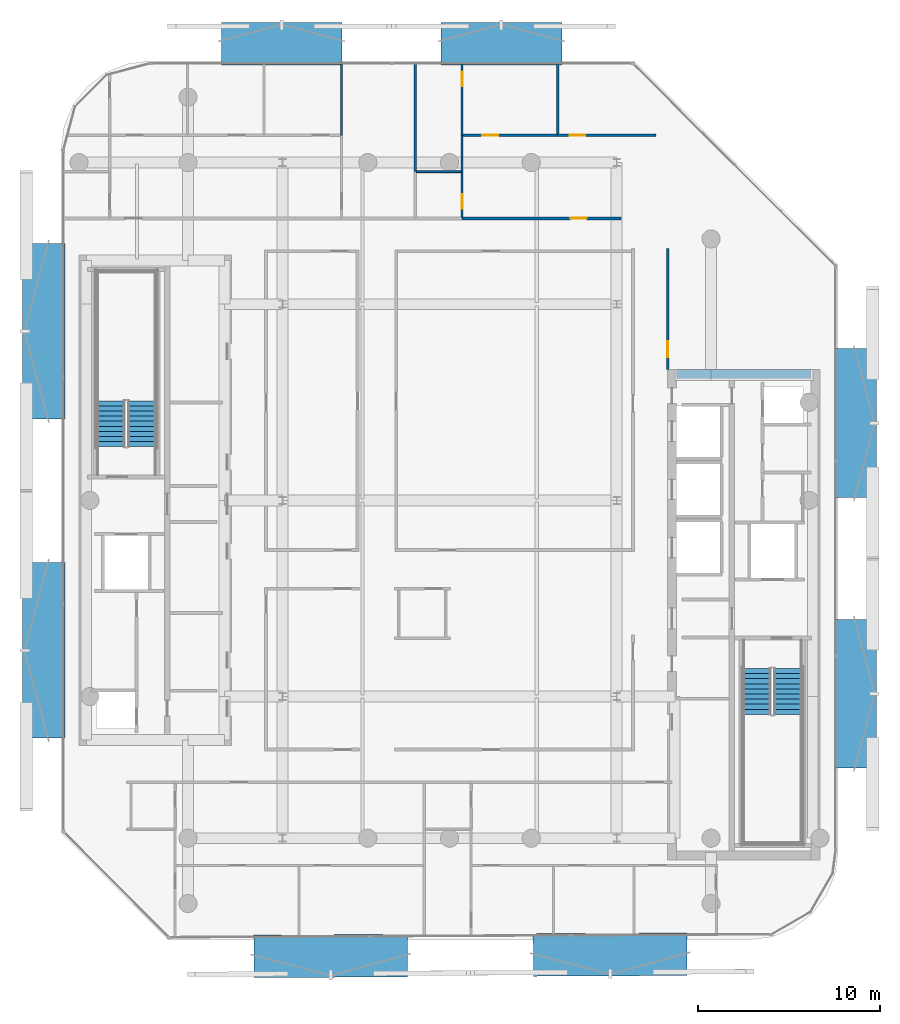
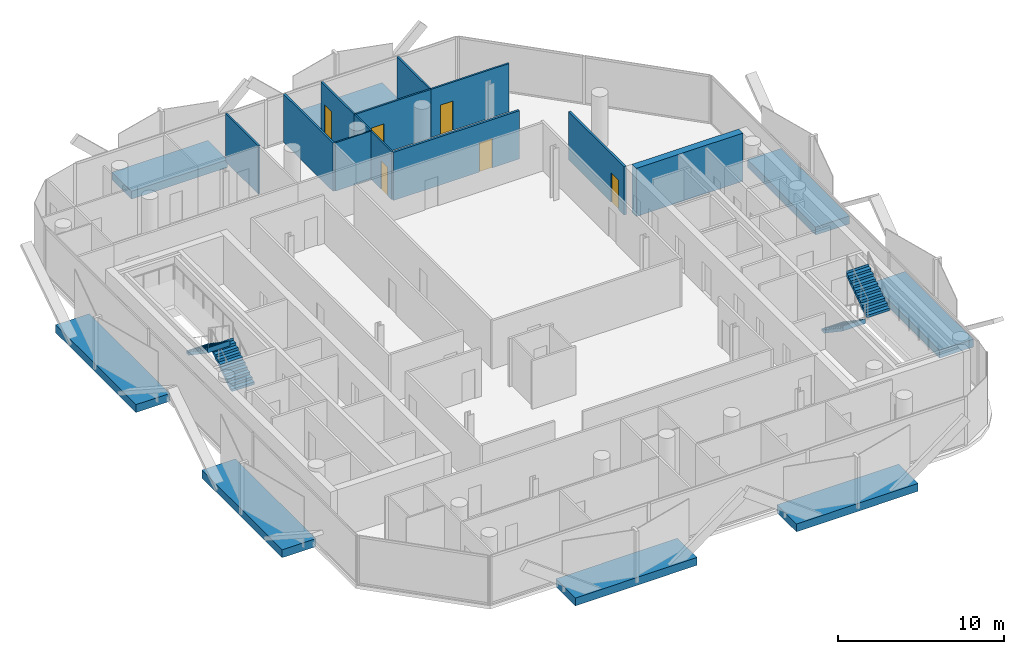
# One storey, part 8 of 15: 12 walls, 8 discrete accessories, 6 doors, 4 stair flights, 6 openings, 2 elements without a shape of their own.
"""IFC4 building model written with IfcOpenShell, lengths in metres."""

from ifc_helpers import new_model, si_unit, direction, frame, frame_2d, origin, origin_2d, place, context, subcontext, project, spatial, polyline, rectangle, outline, extrude, material, layer, layer_set, type_object, element, fill, aggregate, save


model = new_model("IFC4")

# Units and contexts
model_context = context("Model", 3, precision=1e-05, world=origin(), true_north=direction((0.0, 1.0)))
body_context = subcontext(model_context, "Body", "Model", "MODEL_VIEW")
ifc_project = project(units=[si_unit("LENGTHUNIT", "METRE"), si_unit("AREAUNIT", "SQUARE_METRE"), si_unit("VOLUMEUNIT", "CUBIC_METRE"), si_unit("PLANEANGLEUNIT", "RADIAN"), si_unit("MASSUNIT", "GRAM", prefix="KILO")], contexts=[model_context])

# Site, building, storey
site_placement = place(None, origin())
site = spatial("IfcSite", under=ifc_project, at=site_placement, CompositionType="ELEMENT")
building_placement = place(site_placement, origin())
building = spatial("IfcBuilding", under=site, at=building_placement, Name="Khairoan Windgate Tower", CompositionType="ELEMENT")
storey_placement = place(building_placement, frame((0.0, 0.0, 285.199951171875)))
storey = spatial("IfcBuildingStorey", under=building, at=storey_placement, Name="L68", CompositionType="ELEMENT", Elevation=285.199951171875)

# Wall
ifc_material_1 = material(Name="Moisture-Resistant Gypsum Partition", Category="gypsum")
ifc_layer_1 = layer(ifc_material_1, 0.10009765625, Name="Moisture-Resistant Gypsum Partition")
ifc_layer_set_1 = layer_set([ifc_layer_1], Name="Moisture-Resistant Gypsum Partition")
wall_type_1 = type_object("IfcWallType", Name="Bathroom Wet-Area Partition Wall", PredefinedType="PARTITIONING", material=ifc_layer_set_1)
wall_1_placement = place(storey_placement, frame((-1.830078125, 18.10009765625, 0.0), z_axis=(0.0, 0.0, 1.0), x_axis=(1.0, 0.0, 0.0)))
element("IfcWall", 1, at=wall_1_placement, inside=storey, type_object=wall_type_1, Name="L68 Interior Partition 049", PredefinedType="PARTITIONING", context=body_context, shape_type="SweptSolid", body=[
    extrude(rectangle(XDim=2.469970703125, YDim=0.10009765625, at=frame_2d((1.23486328125, 0.0))), origin(), (0.0, 0.0, 1.0), 3.5400390625),
])

# Wall, opening, door
wall_2_placement = place(storey_placement, frame((0.68994140625, 15.60009765625, 0.0), z_axis=(0.0, 0.0, 1.0), x_axis=(0.0, 1.0, 0.0)))
wall_2 = element("IfcWall", 2, at=wall_2_placement, inside=storey, type_object=wall_type_1, Name="L68 Interior Partition 050", PredefinedType="PARTITIONING", context=body_context, shape_type="SweptSolid", body=[
    extrude(rectangle(XDim=2.5, YDim=0.10009765625, at=frame_2d((1.25, 0.0))), origin(), (0.0, 0.0, 1.0), 3.5400390625),
])
opening_1_placement = place(wall_2_placement, frame((0.4599609375, 0.0, 0.0)))
opening_1 = element("IfcOpeningElement", 3, at=opening_1_placement, cuts=wall_2, Name="Opening ID-BTH", PredefinedType="OPENING", context=body_context, shape_type="SweptSolid", body=[
    extrude(rectangle(XDim=0.800048828125, YDim=2.10009765625, at=frame_2d((0.39990234375, 1.050048828125))), frame((0.0, 0.06005859375, 0.0), z_axis=(0.0, -1.0, 0.0), x_axis=(1.0, 0.0, 0.0)), (0.0, 0.0, 1.0), 0.1201171875),
])
ifc_material_2 = material(Name="Teak Veneer Timber Leaf", Category="wood")
door_type_1 = type_object("IfcDoorType", Name="Internal Bathroom Door ID-BTH 800x2100", OperationType="NOTDEFINED", PredefinedType="DOOR", material=ifc_material_2)
door_1_placement = place(opening_1_placement, origin())
door_1 = element("IfcDoor", 4, at=door_1_placement, inside=storey, type_object=door_type_1, Name="L68 L68-40-L68-42 Door", OperationType="SINGLE_SWING_RIGHT", OverallHeight=2.10009765625, OverallWidth=0.800048828125, PredefinedType="DOOR", context=body_context, shape_type="SweptSolid", body=[
    extrude(rectangle(XDim=0.800048828125, YDim=2.10009765625, at=frame_2d((0.39990234375, 1.050048828125))), frame((0.0, 0.02490234375, 0.0), z_axis=(0.0, -1.0, 0.0), x_axis=(1.0, 0.0, 0.0)), (0.0, 0.0, 1.0), 0.050048828125),
])
fill(opening_1, door_1)

# Walls
ifc_material_3 = material(Name="Acoustic Fire-Rated Gypsum Partition", Category="gypsum")
ifc_layer_2 = layer(ifc_material_3, 0.139892578125, Name="Acoustic Fire-Rated Gypsum Partition")
ifc_layer_set_2 = layer_set([ifc_layer_2], Name="Acoustic Fire-Rated Gypsum Partition")
wall_type_2 = type_object("IfcWallType", Name="Inter-Tenancy Compartment Wall", PredefinedType="PARTITIONING", material=ifc_layer_set_2)
wall_3_placement = place(storey_placement, frame((-1.89990234375, 18.10009765625, 0.0), z_axis=(0.0, 0.0, 1.0), x_axis=(0.0, 1.0, 0.0)))
element("IfcWall", 5, at=wall_3_placement, inside=storey, type_object=wall_type_2, Name="L68 Interior Partition 046", PredefinedType="PARTITIONING", context=body_context, shape_type="SweptSolid", body=[
    extrude(rectangle(XDim=5.954833984375, YDim=0.139892578125, at=frame_2d((2.9775390625, 0.0))), origin(), (0.0, 0.0, 1.0), 3.5400390625),
])
ifc_material_4 = material(Name="Gypsum Stud Partition", Category="gypsum")
ifc_layer_3 = layer(ifc_material_4, 0.1201171875, Name="Gypsum Stud Partition")
ifc_layer_set_3 = layer_set([ifc_layer_3], Name="Gypsum Stud Partition")
wall_type_3 = type_object("IfcWallType", Name="Internal Room Partition Wall", PredefinedType="PARTITIONING", material=ifc_layer_set_3)
wall_4_placement = place(storey_placement, frame((-5.93994140625, 20.10009765625, 0.0), z_axis=(0.0, 0.0, 1.0), x_axis=(0.0, 1.0, 0.0)))
element("IfcWall", 6, at=wall_4_placement, inside=storey, type_object=wall_type_3, Name="L68 Interior Partition 044", PredefinedType="PARTITIONING", context=body_context, shape_type="SweptSolid", body=[
    extrude(rectangle(XDim=3.954833984375, YDim=0.1201171875, at=frame_2d((1.9775390625, 0.0))), origin(), (0.0, 0.0, 1.0), 3.5400390625),
])
wall_5_placement = place(storey_placement, frame((0.68994140625, 18.10009765625, 0.0), z_axis=(0.0, 0.0, 1.0), x_axis=(0.0, 1.0, 0.0)))
element("IfcWall", 7, at=wall_5_placement, inside=storey, type_object=wall_type_3, Name="L68 Interior Partition 051", PredefinedType="PARTITIONING", context=body_context, shape_type="SweptSolid", body=[
    extrude(rectangle(XDim=2.0, YDim=0.1201171875, at=frame_2d((1.0, 0.0))), origin(), (0.0, 0.0, 1.0), 3.5400390625),
])

# Wall, opening, door
wall_6_placement = place(storey_placement, frame((0.68994140625, 20.10009765625, 0.0), z_axis=(0.0, 0.0, 1.0), x_axis=(0.0, 1.0, 0.0)))
wall_6 = element("IfcWall", 8, at=wall_6_placement, inside=storey, type_object=wall_type_3, Name="L68 Interior Partition 052", PredefinedType="PARTITIONING", context=body_context, shape_type="SweptSolid", body=[
    extrude(rectangle(XDim=3.954833984375, YDim=0.1201171875, at=frame_2d((1.9775390625, 0.0))), origin(), (0.0, 0.0, 1.0), 3.5400390625),
])
opening_2_placement = place(wall_6_placement, frame((2.695068359375, 0.0, 0.0)))
opening_2 = element("IfcOpeningElement", 9, at=opening_2_placement, cuts=wall_6, Name="Opening ID-BTH", PredefinedType="OPENING", context=body_context, shape_type="SweptSolid", body=[
    extrude(rectangle(XDim=0.800048828125, YDim=2.10009765625, at=frame_2d((0.39990234375, 1.050048828125))), frame((0.0, 0.070068359375, 0.0), z_axis=(0.0, -1.0, 0.0), x_axis=(1.0, 0.0, 0.0)), (0.0, 0.0, 1.0), 0.14013671875),
])
door_2_placement = place(opening_2_placement, origin())
door_2 = element("IfcDoor", 10, at=door_2_placement, inside=storey, type_object=door_type_1, Name="L68 L68-41-L68-43 Door", OperationType="SINGLE_SWING_LEFT", OverallHeight=2.10009765625, OverallWidth=0.800048828125, PredefinedType="DOOR", context=body_context, shape_type="SweptSolid", body=[
    extrude(rectangle(XDim=0.800048828125, YDim=2.10009765625, at=frame_2d((0.39990234375, 1.050048828125))), frame((0.0, 0.02490234375, 0.0), z_axis=(0.0, -1.0, 0.0), x_axis=(1.0, 0.0, 0.0)), (0.0, 0.0, 1.0), 0.050048828125),
])
fill(opening_2, door_2)

wall_7_placement = place(storey_placement, frame((0.75, 20.10009765625, 0.0), z_axis=(0.0, 0.0, 1.0), x_axis=(1.0, 0.0, 0.0)))
wall_7 = element("IfcWall", 11, at=wall_7_placement, inside=storey, type_object=wall_type_3, Name="L68 Interior Partition 053", PredefinedType="PARTITIONING", context=body_context, shape_type="SweptSolid", body=[
    extrude(rectangle(XDim=5.205078125, YDim=0.1201171875, at=frame_2d((2.6025390625, 0.0))), origin(), (0.0, 0.0, 1.0), 3.5400390625),
])
opening_3_placement = place(wall_7_placement, frame((1.064453125, 0.0, 0.0)))
opening_3 = element("IfcOpeningElement", 12, at=opening_3_placement, cuts=wall_7, Name="Opening ID-RM", PredefinedType="OPENING", context=body_context, shape_type="SweptSolid", body=[
    extrude(rectangle(XDim=0.860107421875, YDim=2.14990234375, at=frame_2d((0.43017578125, 1.074951171875))), frame((0.0, 0.070068359375, 0.0), z_axis=(0.0, -1.0, 0.0), x_axis=(1.0, 0.0, 0.0)), (0.0, 0.0, 1.0), 0.14013671875),
])
ifc_material_5 = material(Name="Teak Veneer Timber Leaf", Category="wood")
door_type_2 = type_object("IfcDoorType", Name="Internal Bedroom and Office Door ID-RM 860x2150", OperationType="NOTDEFINED", PredefinedType="DOOR", material=ifc_material_5)
door_3_placement = place(opening_3_placement, origin())
door_3 = element("IfcDoor", 13, at=door_3_placement, inside=storey, type_object=door_type_2, Name="L68 L68-42-L68-43 Door", OperationType="SINGLE_SWING_RIGHT", OverallHeight=2.14990234375, OverallWidth=0.860107421875, PredefinedType="DOOR", context=body_context, shape_type="SweptSolid", body=[
    extrude(rectangle(XDim=0.860107421875, YDim=2.14990234375, at=frame_2d((0.43017578125, 1.074951171875))), frame((0.0, 0.02490234375, 0.0), z_axis=(0.0, -1.0, 0.0), x_axis=(1.0, 0.0, 0.0)), (0.0, 0.0, 1.0), 0.050048828125),
])
fill(opening_3, door_3)

wall_8_placement = place(storey_placement, frame((5.955078125, 20.10009765625, 0.0), z_axis=(0.0, 0.0, 1.0), x_axis=(1.0, 0.0, 0.0)))
wall_8 = element("IfcWall", 14, at=wall_8_placement, inside=storey, type_object=wall_type_3, Name="L68 Interior Partition 054", PredefinedType="PARTITIONING", context=body_context, shape_type="SweptSolid", body=[
    extrude(rectangle(XDim=5.4248046875, YDim=0.1201171875, at=frame_2d((2.71240234375, 0.0))), origin(), (0.0, 0.0, 1.0), 3.5400390625),
])
opening_4_placement = place(wall_8_placement, frame((0.66259765625, 0.0, 0.0)))
opening_4 = element("IfcOpeningElement", 15, at=opening_4_placement, cuts=wall_8, Name="Opening ID-RM", PredefinedType="OPENING", context=body_context, shape_type="SweptSolid", body=[
    extrude(rectangle(XDim=0.860107421875, YDim=2.14990234375, at=frame_2d((0.43017578125, 1.074951171875))), frame((0.0, 0.070068359375, 0.0), z_axis=(0.0, -1.0, 0.0), x_axis=(1.0, 0.0, 0.0)), (0.0, 0.0, 1.0), 0.14013671875),
])
door_4_placement = place(opening_4_placement, origin())
door_4 = element("IfcDoor", 16, at=door_4_placement, inside=storey, type_object=door_type_2, Name="L68 L68-42-L68-44 Door", OperationType="SINGLE_SWING_LEFT", OverallHeight=2.14990234375, OverallWidth=0.860107421875, PredefinedType="DOOR", context=body_context, shape_type="SweptSolid", body=[
    extrude(rectangle(XDim=0.860107421875, YDim=2.14990234375, at=frame_2d((0.43017578125, 1.074951171875))), frame((0.0, 0.02490234375, 0.0), z_axis=(0.0, -1.0, 0.0), x_axis=(1.0, 0.0, 0.0)), (0.0, 0.0, 1.0), 0.050048828125),
])
fill(opening_4, door_4)

# Wall
wall_9_placement = place(storey_placement, frame((5.955078125, 20.159912109375, 0.0), z_axis=(0.0, 0.0, 1.0), x_axis=(0.0, 1.0, 0.0)))
element("IfcWall", 17, at=wall_9_placement, inside=storey, type_object=wall_type_3, Name="L68 Interior Partition 055", PredefinedType="PARTITIONING", context=body_context, shape_type="SweptSolid", body=[
    extrude(rectangle(XDim=3.89501953125, YDim=0.1201171875, at=frame_2d((1.947509765625, 0.0))), origin(), (0.0, 0.0, 1.0), 3.5400390625),
])

# Wall, opening, door
ifc_material_6 = material(Name="Acoustic Fire-Rated Gypsum Partition", Category="gypsum")
ifc_layer_4 = layer(ifc_material_6, 0.14990234375, Name="Acoustic Fire-Rated Gypsum Partition")
ifc_layer_set_4 = layer_set([ifc_layer_4], Name="Acoustic Fire-Rated Gypsum Partition")
wall_type_4 = type_object("IfcWallType", Name="Rated Corridor Partition Wall", PredefinedType="PARTITIONING", material=ifc_layer_set_4)
wall_10_placement = place(storey_placement, frame((12.014892578125, 7.199951171875, 0.0), z_axis=(0.0, 0.0, 1.0), x_axis=(0.0, 1.0, 0.0)))
wall_10 = element("IfcWall", 18, at=wall_10_placement, inside=storey, type_object=wall_type_4, Name="L68 Interior Partition 014", PredefinedType="PARTITIONING", context=body_context, shape_type="SweptSolid", body=[
    extrude(rectangle(XDim=6.679931640625, YDim=0.14990234375, at=frame_2d((3.33984375, 0.0))), origin(), (0.0, 0.0, 1.0), 3.5400390625),
])
opening_5_placement = place(wall_10_placement, frame((0.669921875, 0.0, 0.0)))
opening_5 = element("IfcOpeningElement", 19, at=opening_5_placement, cuts=wall_10, Name="Opening FD-ENT", PredefinedType="OPENING", context=body_context, shape_type="SweptSolid", body=[
    extrude(rectangle(XDim=0.89990234375, YDim=2.14990234375, at=frame_2d((0.449951171875, 1.074951171875))), frame((0.0, 0.0849609375, 0.0), z_axis=(0.0, -1.0, 0.0), x_axis=(1.0, 0.0, 0.0)), (0.0, 0.0, 1.0), 0.169921875),
])
ifc_material_7 = material(Name="Timber Fire-Rated Core", Category="wood")
door_type_3 = type_object("IfcDoorType", Name="Unit and Office Fire Entrance Door FD-ENT 900x2150", OperationType="NOTDEFINED", PredefinedType="DOOR", material=ifc_material_7)
door_5_placement = place(opening_5_placement, origin())
door_5 = element("IfcDoor", 20, at=door_5_placement, inside=storey, type_object=door_type_3, Name="L68 L68-28-L68-57 Door", OperationType="SINGLE_SWING_LEFT", OverallHeight=2.14990234375, OverallWidth=0.89990234375, PredefinedType="DOOR", context=body_context, shape_type="SweptSolid", body=[
    extrude(rectangle(XDim=0.89990234375, YDim=2.14990234375, at=frame_2d((0.449951171875, 1.074951171875))), frame((0.0, 0.02490234375, 0.0), z_axis=(0.0, -1.0, 0.0), x_axis=(1.0, 0.0, 0.0)), (0.0, 0.0, 1.0), 0.050048828125),
])
fill(opening_5, door_5)

wall_11_placement = place(storey_placement, frame((0.68994140625, 15.52490234375, 0.0), z_axis=(0.0, 0.0, 1.0), x_axis=(1.0, 0.0, 0.0)))
wall_11 = element("IfcWall", 21, at=wall_11_placement, inside=storey, type_object=wall_type_4, Name="L68 Interior Partition 027", PredefinedType="PARTITIONING", context=body_context, shape_type="SweptSolid", body=[
    extrude(rectangle(XDim=8.75, YDim=0.14990234375, at=frame_2d((4.375, 0.0))), origin(), (0.0, 0.0, 1.0), 3.5400390625),
])
opening_6_placement = place(wall_11_placement, frame((5.963134765625, 0.0, 0.0)))
opening_6 = element("IfcOpeningElement", 22, at=opening_6_placement, cuts=wall_11, Name="Opening FD-ENT", PredefinedType="OPENING", context=body_context, shape_type="SweptSolid", body=[
    extrude(rectangle(XDim=0.89990234375, YDim=2.14990234375, at=frame_2d((0.449951171875, 1.074951171875))), frame((0.0, 0.0849609375, 0.0), z_axis=(0.0, -1.0, 0.0), x_axis=(1.0, 0.0, 0.0)), (0.0, 0.0, 1.0), 0.169921875),
])
door_6_placement = place(opening_6_placement, origin())
door_6 = element("IfcDoor", 23, at=door_6_placement, inside=storey, type_object=door_type_3, Name="L68 L68-31-L68-42 Door", OperationType="SINGLE_SWING_LEFT", OverallHeight=2.14990234375, OverallWidth=0.89990234375, PredefinedType="DOOR", context=body_context, shape_type="SweptSolid", body=[
    extrude(rectangle(XDim=0.89990234375, YDim=2.14990234375, at=frame_2d((0.449951171875, 1.074951171875))), frame((0.0, 0.02490234375, 0.0), z_axis=(0.0, -1.0, 0.0), x_axis=(1.0, 0.0, 0.0)), (0.0, 0.0, 1.0), 0.050048828125),
])
fill(opening_6, door_6)

# Wall
ifc_material_8 = material(Name="Concrete C50/60", Category="concrete")
ifc_layer_5 = layer(ifc_material_8, 0.5, Name="Concrete C50/60")
ifc_layer_set_5 = layer_set([ifc_layer_5], Name="Concrete C50/60")
wall_type_5 = type_object("IfcWallType", Name="Shear Wall CW-E3 500mm", PredefinedType="SHEAR", material=ifc_layer_set_5)
wall_12_placement = place(storey_placement, frame((12.5, 6.949951171875, 0.0), z_axis=(0.0, 0.0, 1.0), x_axis=(1.0, 0.0, 0.0)))
element("IfcWall", 24, at=wall_12_placement, inside=storey, type_object=wall_type_5, Name="E Core North Shear Wall L68", PredefinedType="SHEAR", context=body_context, shape_type="SweptSolid", body=[
    extrude(rectangle(XDim=7.39990234375, YDim=0.5, at=frame_2d((3.699951171875, 0.0))), origin(), (0.0, 0.0, 1.0), 3.5400390625),
])

# Stair, stair flights
ifc_material_9 = material(Name="Concrete C40/50", Category="concrete")
stair_type = type_object("IfcStairType", Name="Tower Core Dog-Leg Stair ST-T1 1560mm", PredefinedType="HALF_TURN_STAIR", material=ifc_material_9)
stair_1_placement = place(storey_placement, origin())
stair_1 = element("IfcStair", 25, at=stair_1_placement, inside=storey, type_object=stair_type, Name="L68 Stair ST1", PredefinedType="HALF_TURN_STAIR")
ifc_material_10 = material(Name="Concrete C40/50", Category="concrete")
ifc_layer_6 = layer(ifc_material_10, 0.14990234375, Name="Concrete C40/50")
ifc_layer_set_6 = layer_set([ifc_layer_6], Name="Concrete C40/50")
stair_flight_type = type_object("IfcStairFlightType", Name="Tower Core Stair Flight STF-1560", PredefinedType="STRAIGHT", material=ifc_layer_set_6)
stair_flight_1_placement = place(storey_placement, frame((16.929931640625, -9.260009765625, 0.0), z_axis=(0.0, 0.0, 1.0), x_axis=(0.0, -1.0, 0.0)))
stair_flight_1 = element("IfcStairFlight", 26, at=stair_flight_1_placement, type_object=stair_flight_type, Name="ST1 flight 1", NumberOfRisers=10, NumberOfTreads=9, PredefinedType="STRAIGHT", RiserHeight=0.19, TreadLength=0.28, context=body_context, shape_type="SweptSolid", body=[
    extrude(outline(polyline([(-0.00390625, 0.0), (-0.00390625, 0.18994140625), (0.0, 0.18994140625), (0.280029296875, 0.18994140625), (0.280029296875, 0.3798828125), (0.56005859375, 0.3798828125), (0.56005859375, 0.570068359375), (0.840087890625, 0.570068359375), (0.840087890625, 0.760009765625), (1.1201171875, 0.760009765625), (1.1201171875, 0.949951171875), (1.39990234375, 0.949951171875), (1.39990234375, 1.139892578125), (1.679931640625, 1.139892578125), (1.679931640625, 1.330078125), (1.9599609375, 1.330078125), (1.9599609375, 1.52001953125), (2.239990234375, 1.52001953125), (2.239990234375, 1.7099609375), (2.52001953125, 1.7099609375), (2.52001953125, 1.89990234375), (2.52392578125, 1.89990234375), (2.52392578125, 1.52880859375), (0.266845703125, 0.0), (-0.00390625, 0.0)])), frame((0.0, 0.780029296875, 0.0), z_axis=(0.0, -1.0, 0.0), x_axis=(1.0, 0.0, 0.0)), (0.0, 0.0, 1.0), 1.56005859375),
])
stair_flight_2_placement = place(storey_placement, frame((18.639892578125, -11.780029296875, 1.900146484375), z_axis=(0.0, 0.0, 1.0), x_axis=(0.0, 1.0, 0.0)))
stair_flight_2 = element("IfcStairFlight", 27, at=stair_flight_2_placement, type_object=stair_flight_type, Name="ST1 flight 2", NumberOfRisers=10, NumberOfTreads=9, PredefinedType="STRAIGHT", RiserHeight=0.19, TreadLength=0.28, context=body_context, shape_type="SweptSolid", body=[
    extrude(outline(polyline([(-0.00390625, 0.0), (-0.00390625, 0.18994140625), (0.0, 0.18994140625), (0.280029296875, 0.18994140625), (0.280029296875, 0.3798828125), (0.56005859375, 0.3798828125), (0.56005859375, 0.570068359375), (0.840087890625, 0.570068359375), (0.840087890625, 0.760009765625), (1.1201171875, 0.760009765625), (1.1201171875, 0.949951171875), (1.39990234375, 0.949951171875), (1.39990234375, 1.139892578125), (1.679931640625, 1.139892578125), (1.679931640625, 1.330078125), (1.9599609375, 1.330078125), (1.9599609375, 1.52001953125), (2.239990234375, 1.52001953125), (2.239990234375, 1.7099609375), (2.52001953125, 1.7099609375), (2.52001953125, 1.89990234375), (2.52392578125, 1.89990234375), (2.52392578125, 1.52880859375), (0.266845703125, 0.0), (-0.00390625, 0.0)])), frame((0.0, 0.780029296875, 0.0), z_axis=(0.0, -1.0, 0.0), x_axis=(1.0, 0.0, 0.0)), (0.0, 0.0, 1.0), 1.56005859375),
])
aggregate(stair_1, [stair_flight_1, stair_flight_2])

stair_2_placement = place(storey_placement, origin())
stair_2 = element("IfcStair", 28, at=stair_2_placement, inside=storey, type_object=stair_type, Name="L68 Stair ST2", PredefinedType="HALF_TURN_STAIR")
stair_flight_3_placement = place(storey_placement, frame((-16.929931640625, 2.9599609375, 0.0), z_axis=(0.0, 0.0, 1.0), x_axis=(0.0, 1.0, 0.0)))
stair_flight_3 = element("IfcStairFlight", 29, at=stair_flight_3_placement, type_object=stair_flight_type, Name="ST2 flight 1", NumberOfRisers=10, NumberOfTreads=9, PredefinedType="STRAIGHT", RiserHeight=0.19, TreadLength=0.28, context=body_context, shape_type="SweptSolid", body=[
    extrude(outline(polyline([(-0.00390625, 0.0), (-0.00390625, 0.18994140625), (0.0, 0.18994140625), (0.280029296875, 0.18994140625), (0.280029296875, 0.3798828125), (0.56005859375, 0.3798828125), (0.56005859375, 0.570068359375), (0.840087890625, 0.570068359375), (0.840087890625, 0.760009765625), (1.1201171875, 0.760009765625), (1.1201171875, 0.949951171875), (1.39990234375, 0.949951171875), (1.39990234375, 1.139892578125), (1.679931640625, 1.139892578125), (1.679931640625, 1.330078125), (1.9599609375, 1.330078125), (1.9599609375, 1.52001953125), (2.239990234375, 1.52001953125), (2.239990234375, 1.7099609375), (2.52001953125, 1.7099609375), (2.52001953125, 1.89990234375), (2.52392578125, 1.89990234375), (2.52392578125, 1.52880859375), (0.266845703125, 0.0), (-0.00390625, 0.0)])), frame((0.0, 0.780029296875, 0.0), z_axis=(0.0, -1.0, 0.0), x_axis=(1.0, 0.0, 0.0)), (0.0, 0.0, 1.0), 1.56005859375),
])
stair_flight_4_placement = place(storey_placement, frame((-18.639892578125, 5.47998046875, 1.900146484375), z_axis=(0.0, 0.0, 1.0), x_axis=(0.0, -1.0, 0.0)))
stair_flight_4 = element("IfcStairFlight", 30, at=stair_flight_4_placement, type_object=stair_flight_type, Name="ST2 flight 2", NumberOfRisers=10, NumberOfTreads=9, PredefinedType="STRAIGHT", RiserHeight=0.19, TreadLength=0.28, context=body_context, shape_type="SweptSolid", body=[
    extrude(outline(polyline([(-0.00390625, 0.0), (-0.00390625, 0.18994140625), (0.0, 0.18994140625), (0.280029296875, 0.18994140625), (0.280029296875, 0.3798828125), (0.56005859375, 0.3798828125), (0.56005859375, 0.570068359375), (0.840087890625, 0.570068359375), (0.840087890625, 0.760009765625), (1.1201171875, 0.760009765625), (1.1201171875, 0.949951171875), (1.39990234375, 0.949951171875), (1.39990234375, 1.139892578125), (1.679931640625, 1.139892578125), (1.679931640625, 1.330078125), (1.9599609375, 1.330078125), (1.9599609375, 1.52001953125), (2.239990234375, 1.52001953125), (2.239990234375, 1.7099609375), (2.52001953125, 1.7099609375), (2.52001953125, 1.89990234375), (2.52392578125, 1.89990234375), (2.52392578125, 1.52880859375), (0.266845703125, 0.0), (-0.00390625, 0.0)])), frame((0.0, 0.780029296875, 0.0), z_axis=(0.0, -1.0, 0.0), x_axis=(1.0, 0.0, 0.0)), (0.0, 0.0, 1.0), 1.56005859375),
])
aggregate(stair_2, [stair_flight_3, stair_flight_4])

# Discrete accessories
ifc_material_11 = material(Name="Steel S355", Category="steel")
discrete_accessory_type = type_object("IfcDiscreteAccessoryType", Name="Solar Screen Outrigger Slab Bracket SSB-1", PredefinedType="BRACKET", material=ifc_material_11)
for number, where, z_axis, x_axis, name in (
    (31, (8.843505859375, -25.010498046875, -0.419921875), (0.0, 0.0, 1.0), (-0.999988059021, -0.004886902454, 0.0), "L68 Solar Screen Outrigger Bracket 470"),
    (32, (-6.543212890625, -25.086181640625, -0.419921875), (0.0, 0.0, 1.0), (-0.999988059021, -0.004886902454, 0.0), "L68 Solar Screen Outrigger Bracket 471"),
):
    element("IfcDiscreteAccessory", number, at=place(storey_placement, frame(where, z_axis=z_axis, x_axis=x_axis)), inside=storey, type_object=discrete_accessory_type, Name=name, PredefinedType="BRACKET", context=body_context, shape_type="SweptSolid", body=[
        extrude(rectangle(XDim=8.462890625, YDim=2.340087890625, at=origin_2d()), origin(), (0.0, 0.0, 1.0), 0.580078125),
    ])
for number, where, z_axis, x_axis, name in (
    (33, (-22.330078125, -8.2587890625, -0.419921875), (0.0, 0.0, 1.0), (0.0, 1.0, 0.0), "L68 Solar Screen Outrigger Bracket 472"),
    (34, (-22.330078125, 9.3076171875, -0.419921875), (0.0, 0.0, 1.0), (0.0, 1.0, 0.0), "L68 Solar Screen Outrigger Bracket 473"),
):
    element("IfcDiscreteAccessory", number, at=place(storey_placement, frame(where, z_axis=z_axis, x_axis=x_axis)), inside=storey, type_object=discrete_accessory_type, Name=name, PredefinedType="BRACKET", context=body_context, shape_type="SweptSolid", body=[
        extrude(rectangle(XDim=9.662109375, YDim=2.340087890625, at=origin_2d()), origin(), (0.0, 0.0, 1.0), 0.580078125),
    ])
for number, where, z_axis, x_axis, name in (
    (35, (-9.24267578125, 25.1298828125, -0.419921875), (0.0, 0.0, 1.0), (1.0, 0.0, 0.0), "L68 Solar Screen Outrigger Bracket 474"),
    (36, (2.853759765625, 25.1298828125, -0.419921875), (0.0, 0.0, 1.0), (1.0, 0.0, 0.0), "L68 Solar Screen Outrigger Bracket 475"),
):
    element("IfcDiscreteAccessory", number, at=place(storey_placement, frame(where, z_axis=z_axis, x_axis=x_axis)), inside=storey, type_object=discrete_accessory_type, Name=name, PredefinedType="BRACKET", context=body_context, shape_type="SweptSolid", body=[
        extrude(rectangle(XDim=6.653076171875, YDim=2.340087890625, at=origin_2d()), origin(), (0.0, 0.0, 1.0), 0.580078125),
    ])
for number, where, z_axis, x_axis, name in (
    (37, (22.330078125, 4.25390625, -0.419921875), (0.0, 0.0, 1.0), (0.0, -1.0, 0.0), "L68 Solar Screen Outrigger Bracket 476"),
    (38, (22.330078125, -10.642578125, -0.419921875), (0.0, 0.0, 1.0), (0.0, -1.0, 0.0), "L68 Solar Screen Outrigger Bracket 477"),
):
    element("IfcDiscreteAccessory", number, at=place(storey_placement, frame(where, z_axis=z_axis, x_axis=x_axis)), inside=storey, type_object=discrete_accessory_type, Name=name, PredefinedType="BRACKET", context=body_context, shape_type="SweptSolid", body=[
        extrude(rectangle(XDim=8.193115234375, YDim=2.340087890625, at=origin_2d()), origin(), (0.0, 0.0, 1.0), 0.580078125),
    ])

save(model, "model.ifc")
